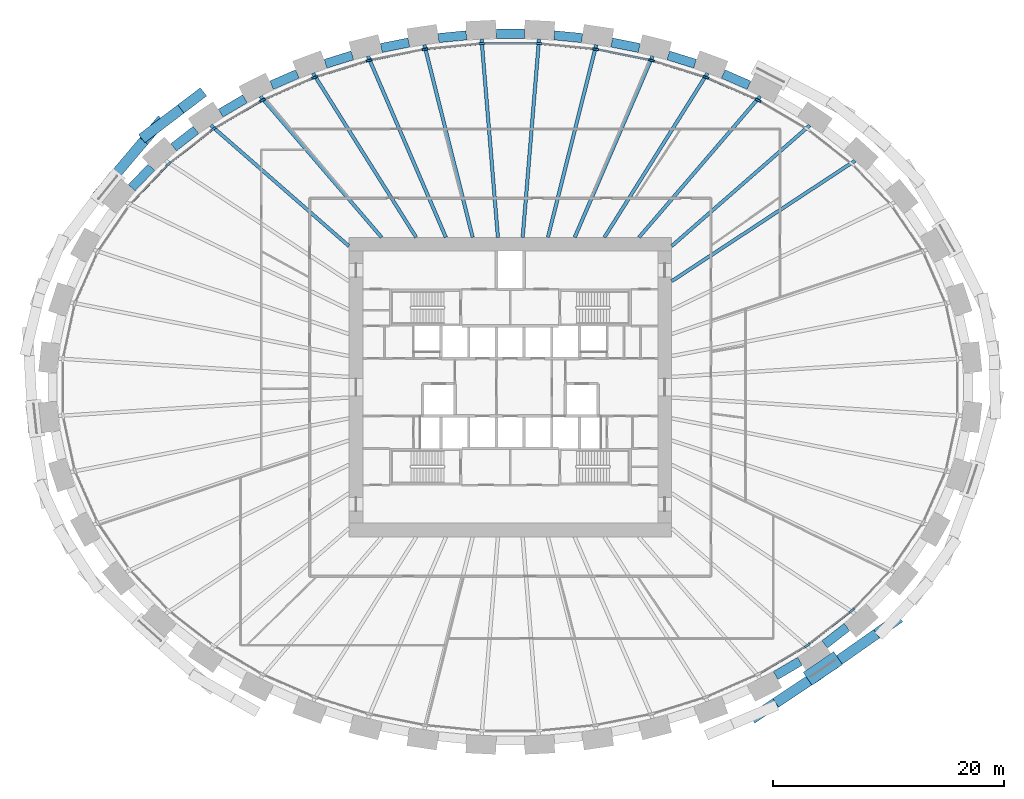
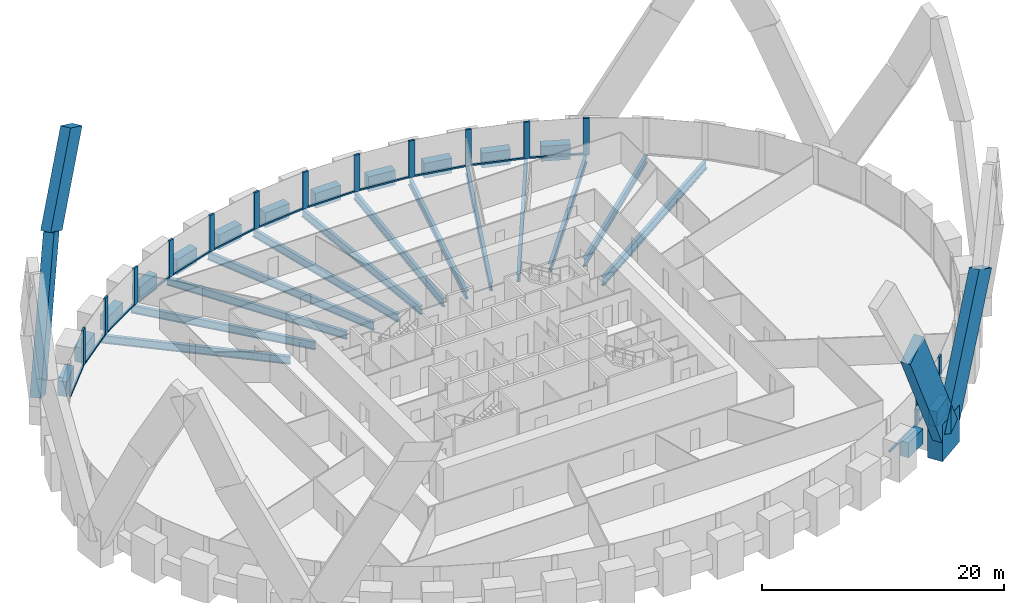
# One storey, part 3 of 12: 33 members, 27 beams, 1 element without a shape of its own.
"""IFC4 building model written with IfcOpenShell, lengths in metres."""

from ifc_helpers import new_model, si_unit, direction, frame, origin, origin_2d, place, context, subcontext, project, spatial, rectangle, i_section, extrude, source, transform, mapped, material, material_profile, profile_set, type_object, element, aggregate, save


model = new_model("IFC4")

# Units and contexts
model_context = context("Model", 3, precision=1e-05, world=origin(), true_north=direction((0.0, 1.0)))
body_context = subcontext(model_context, "Body", "Model", "MODEL_VIEW")
ifc_project = project(units=[si_unit("LENGTHUNIT", "METRE"), si_unit("AREAUNIT", "SQUARE_METRE"), si_unit("VOLUMEUNIT", "CUBIC_METRE"), si_unit("PLANEANGLEUNIT", "RADIAN"), si_unit("MASSUNIT", "GRAM", prefix="KILO")], contexts=[model_context])

# Site, building, storey
site_placement = place(None, origin())
site = spatial("IfcSite", under=ifc_project, at=site_placement, CompositionType="ELEMENT")
building_placement = place(site_placement, origin())
building = spatial("IfcBuilding", under=site, at=building_placement, Name="Embergate Tower", CompositionType="ELEMENT")
storey_placement = place(building_placement, frame((0.0, 0.0, 45.800048828125)))
storey = spatial("IfcBuildingStorey", under=building, at=storey_placement, Name="L07", CompositionType="ELEMENT", Elevation=45.800048828125)

# Beams
ifc_material_1 = material(Name="Concrete C70", Category="concrete")
ifc_material_profile_1 = material_profile(ifc_material_1, rectangle(XDim=0.800048828125, YDim=1.5, at=origin_2d()), Name="RC 800x1500")
ifc_profile_set_1 = profile_set([ifc_material_profile_1], Name="Concrete C70")
beam_type_1 = type_object("IfcBeamType", Name="Spandrel beam RC 800x1500 C70", PredefinedType="BEAM", material=ifc_profile_set_1)
shared_shape_1 = source(origin(), body_context, "Body", "SweptSolid", [
    extrude(rectangle(XDim=0.800048828125, YDim=1.5, at=origin_2d()), origin(), (0.0, 0.0, 1.0), 2.431396484375),
])
for number, where, z_axis, x_axis, name in (
    (1, (11.18505859375, 29.428955078125, 0.0), (-0.980484010726, 0.196598842089, 0.0), (-0.196598842089, -0.980484010726, 0.0), "SPN-L07-08"),
    (2, (-8.801025390625, 29.906982421875, 0.0), (-0.980484010726, -0.196598842089, 0.0), (0.196598842089, -0.980484010726, 0.0), "SPN-L07-12"),
):
    element("IfcBeam", number, at=place(storey_placement, frame(where, z_axis=z_axis, x_axis=x_axis)), inside=storey, type_object=beam_type_1, Name=name, PredefinedType="BEAM", context=body_context, shape_type="MappedRepresentation", body=[
        mapped(shared_shape_1, transform((0.0, 0.0, 0.0))),
    ])
shared_shape_2 = source(origin(), body_context, "Body", "SweptSolid", [
    extrude(rectangle(XDim=0.800048828125, YDim=1.5, at=origin_2d()), origin(), (0.0, 0.0, 1.0), 2.43408203125),
])
for number, where, z_axis, x_axis, name in (
    (3, (16.028076171875, 28.06201171875, 0.0), (-0.954756195808, 0.297389654436, 0.0), (-0.297389654436, -0.954756195808, 0.0), "SPN-L07-07"),
    (4, (-13.7041015625, 28.785888671875, 0.0), (-0.954756195808, -0.297389654436, 0.0), (0.297389654436, -0.954756195808, 0.0), "SPN-L07-13"),
):
    element("IfcBeam", number, at=place(storey_placement, frame(where, z_axis=z_axis, x_axis=x_axis)), inside=storey, type_object=beam_type_1, Name=name, PredefinedType="BEAM", context=body_context, shape_type="MappedRepresentation", body=[
        mapped(shared_shape_2, transform((0.0, 0.0, 0.0))),
    ])
shared_shape_3 = source(origin(), body_context, "Body", "SweptSolid", [
    extrude(rectangle(XDim=0.800048828125, YDim=1.5, at=origin_2d()), origin(), (0.0, 0.0, 1.0), 2.454345703125),
])
beam_1_placement = place(storey_placement, frame((-31.14404296875, 19.080078125, 0.0), z_axis=(-0.690146821467, -0.723669375349, 0.0), x_axis=(0.723669375349, -0.690146821467, 0.0)))
element("IfcBeam", 5, at=beam_1_placement, inside=storey, type_object=beam_type_1, Name="SPN-L07-17", PredefinedType="BEAM", context=body_context, shape_type="MappedRepresentation", body=[
    mapped(shared_shape_3, transform((0.0, 0.0, 0.0))),
])
shared_shape_4 = source(origin(), body_context, "Body", "SweptSolid", [
    extrude(rectangle(XDim=0.800048828125, YDim=1.5, at=origin_2d()), origin(), (0.0, 0.0, 1.0), 2.446533203125),
])
for number, where, z_axis, x_axis, name in (
    (6, (-27.27392578125, 22.31494140625, 0.0), (-0.788443262058, -0.615107488587, 0.0), (0.615107488587, -0.788443262058, 0.0), "SPN-L07-16"),
    (7, (27.27392578125, -22.31494140625, 0.0), (0.788443262058, 0.615107488587, 0.0), (-0.615107488587, 0.788443262058, 0.0), "SPN-L07-38"),
):
    element("IfcBeam", number, at=place(storey_placement, frame(where, z_axis=z_axis, x_axis=x_axis)), inside=storey, type_object=beam_type_1, Name=name, PredefinedType="BEAM", context=body_context, shape_type="MappedRepresentation", body=[
        mapped(shared_shape_4, transform((0.0, 0.0, 0.0))),
    ])
shared_shape_5 = source(origin(), body_context, "Body", "SweptSolid", [
    extrude(rectangle(XDim=0.800048828125, YDim=1.5, at=origin_2d()), origin(), (0.0, 0.0, 1.0), 2.440673828125),
])
for number, where, z_axis, x_axis, name in (
    (8, (-23.02001953125, 25.013916015625, 0.0), (-0.86208332714, -0.506766550857, 0.0), (0.506766550857, -0.86208332714, 0.0), "SPN-L07-15"),
    (9, (23.02001953125, -25.013916015625, 0.0), (0.86208332714, 0.506766550857, 0.0), (-0.506766550857, 0.86208332714, 0.0), "SPN-L07-37"),
):
    element("IfcBeam", number, at=place(storey_placement, frame(where, z_axis=z_axis, x_axis=x_axis)), inside=storey, type_object=beam_type_1, Name=name, PredefinedType="BEAM", context=body_context, shape_type="MappedRepresentation", body=[
        mapped(shared_shape_5, transform((0.0, 0.0, 0.0))),
    ])
shared_shape_6 = source(origin(), body_context, "Body", "SweptSolid", [
    extrude(rectangle(XDim=0.800048828125, YDim=1.5, at=origin_2d()), origin(), (0.0, 0.0, 1.0), 2.437255859375),
])
for number, where, z_axis, x_axis, name in (
    (10, (20.7041015625, 26.196044921875, 0.0), (-0.916297523331, 0.400498250604, 0.0), (-0.400498250604, -0.916297523331, 0.0), "SPN-L07-06"),
    (11, (-18.470947265625, 27.172119140625, 0.0), (-0.916297523331, -0.400498250604, 0.0), (0.400498250604, -0.916297523331, 0.0), "SPN-L07-14"),
):
    element("IfcBeam", number, at=place(storey_placement, frame(where, z_axis=z_axis, x_axis=x_axis)), inside=storey, type_object=beam_type_1, Name=name, PredefinedType="BEAM", context=body_context, shape_type="MappedRepresentation", body=[
        mapped(shared_shape_6, transform((0.0, 0.0, 0.0))),
    ])
shared_shape_7 = source(origin(), body_context, "Body", "SweptSolid", [
    extrude(rectangle(XDim=0.800048828125, YDim=1.5, at=origin_2d()), origin(), (0.0, 0.0, 1.0), 2.4296875),
])
for number, where, z_axis, x_axis, name in (
    (12, (6.22998046875, 30.2900390625, 0.0), (-0.995189223215, 0.097971475428, 0.0), (-0.097971475428, -0.995189223215, 0.0), "SPN-L07-09"),
    (13, (-3.81201171875, 30.528076171875, 0.0), (-0.995189223215, -0.097971475428, 0.0), (0.097971475428, -0.995189223215, 0.0), "SPN-L07-11"),
):
    element("IfcBeam", number, at=place(storey_placement, frame(where, z_axis=z_axis, x_axis=x_axis)), inside=storey, type_object=beam_type_1, Name=name, PredefinedType="BEAM", context=body_context, shape_type="MappedRepresentation", body=[
        mapped(shared_shape_7, transform((0.0, 0.0, 0.0))),
    ])
shared_shape_8 = source(origin(), body_context, "Body", "SweptSolid", [
    extrude(rectangle(XDim=0.800048828125, YDim=1.5, at=origin_2d()), origin(), (0.0, 0.0, 1.0), 2.43017578125),
])
beam_2_placement = place(storey_placement, frame((1.215087890625, 30.655029296875, 0.0), z_axis=(-1.0, 0.0, 0.0), x_axis=(0.0, -1.0, 0.0)))
element("IfcBeam", 14, at=beam_2_placement, inside=storey, type_object=beam_type_1, Name="SPN-L07-10", PredefinedType="BEAM", context=body_context, shape_type="MappedRepresentation", body=[
    mapped(shared_shape_8, transform((0.0, 0.0, 0.0))),
])
ifc_material_2 = material(Name="Steel Q355B", Category="steel")
ifc_material_profile_2 = material_profile(ifc_material_2, i_section(OverallWidth=0.300048828125, OverallDepth=0.89990234375, WebThickness=0.01611328125, FlangeThickness=0.028076171875, FilletRadius=0.028076171875, at=origin_2d()), Name="HN 900x300x16x28")
ifc_profile_set_2 = profile_set([ifc_material_profile_2], Name="Steel Q355 grade B")
beam_type_2 = type_object("IfcBeamType", Name="Radial girder HN 900x300x16x28", PredefinedType="BEAM", material=ifc_profile_set_2)
shared_shape_9 = source(origin(), body_context, "Body", "SweptSolid", [
    extrude(i_section(OverallWidth=0.300048828125, OverallDepth=0.89990234375, WebThickness=0.01611328125, FlangeThickness=0.028076171875, FilletRadius=0.028076171875, at=origin_2d()), origin(), (0.0, 0.0, 1.0), 19.03564453125),
])
beam_3_placement = place(storey_placement, frame((29.908935546875, 19.65087890625, -0.650146484375), z_axis=(-0.835743149678, -0.549120558499, 0.0), x_axis=(0.549120558499, -0.835743149678, 0.0)))
element("IfcBeam", 15, at=beam_3_placement, inside=storey, type_object=beam_type_2, Name="GIR-L07-04", PredefinedType="BEAM", context=body_context, shape_type="MappedRepresentation", body=[
    mapped(shared_shape_9, transform((0.0, 0.0, 0.0))),
])
ifc_material_profile_3 = material_profile(ifc_material_2, i_section(OverallWidth=0.300048828125, OverallDepth=0.800048828125, WebThickness=0.013916015625, FlangeThickness=0.02587890625, FilletRadius=0.028076171875, at=origin_2d()), Name="HN 800x300x14x26")
ifc_profile_set_3 = profile_set([ifc_material_profile_3], Name="Steel Q355 grade B")
beam_type_3 = type_object("IfcBeamType", Name="Radial girder HN 800x300x14x26", PredefinedType="BEAM", material=ifc_profile_set_3)
shared_shape_10 = source(origin(), body_context, "Body", "SweptSolid", [
    extrude(i_section(OverallWidth=0.300048828125, OverallDepth=0.800048828125, WebThickness=0.013916015625, FlangeThickness=0.02587890625, FilletRadius=0.028076171875, at=origin_2d()), origin(), (0.0, 0.0, 1.0), 15.91162109375),
])
for number, where, z_axis, x_axis, name in (
    (16, (25.97802734375, 22.718017578125, -0.60009765625), (-0.752783862885, -0.658267769057, 0.0), (0.658267769057, -0.752783862885, 0.0), "GIR-L07-05"),
    (17, (-25.97802734375, 22.718017578125, -0.60009765625), (0.752783862885, -0.658267769057, 0.0), (0.658267769057, 0.752783862885, 0.0), "GIR-L07-16"),
):
    element("IfcBeam", number, at=place(storey_placement, frame(where, z_axis=z_axis, x_axis=x_axis)), inside=storey, type_object=beam_type_3, Name=name, PredefinedType="BEAM", context=body_context, shape_type="MappedRepresentation", body=[
        mapped(shared_shape_10, transform((0.0, 0.0, 0.0))),
    ])
shared_shape_11 = source(origin(), body_context, "Body", "SweptSolid", [
    extrude(i_section(OverallWidth=0.300048828125, OverallDepth=0.800048828125, WebThickness=0.013916015625, FlangeThickness=0.02587890625, FilletRadius=0.028076171875, at=origin_2d()), origin(), (0.0, 0.0, 1.0), 16.1416015625),
])
for number, where, z_axis, x_axis, name in (
    (18, (21.679931640625, 25.24609375, -0.60009765625), (-0.651477424903, -0.758668020178, 0.0), (0.758668020178, -0.651477424903, 0.0), "GIR-L07-06"),
    (19, (-21.679931640625, 25.24609375, -0.60009765625), (0.651477424903, -0.758668020178, 0.0), (0.758668020178, 0.651477424903, 0.0), "GIR-L07-15"),
):
    element("IfcBeam", number, at=place(storey_placement, frame(where, z_axis=z_axis, x_axis=x_axis)), inside=storey, type_object=beam_type_3, Name=name, PredefinedType="BEAM", context=body_context, shape_type="MappedRepresentation", body=[
        mapped(shared_shape_11, transform((0.0, 0.0, 0.0))),
    ])
shared_shape_12 = source(origin(), body_context, "Body", "SweptSolid", [
    extrude(i_section(OverallWidth=0.300048828125, OverallDepth=0.800048828125, WebThickness=0.013916015625, FlangeThickness=0.02587890625, FilletRadius=0.028076171875, at=origin_2d()), origin(), (0.0, 0.0, 1.0), 16.81884765625),
])
for number, where, z_axis, x_axis, name in (
    (20, (17.110107421875, 27.242919921875, -0.60009765625), (-0.531846576707, -0.846840728145, 0.0), (0.846840728145, -0.531846576707, 0.0), "GIR-L07-07"),
    (21, (-17.110107421875, 27.242919921875, -0.60009765625), (0.531846576707, -0.846840728145, 0.0), (0.846840728145, 0.531846576707, 0.0), "GIR-L07-14"),
):
    element("IfcBeam", number, at=place(storey_placement, frame(where, z_axis=z_axis, x_axis=x_axis)), inside=storey, type_object=beam_type_3, Name=name, PredefinedType="BEAM", context=body_context, shape_type="MappedRepresentation", body=[
        mapped(shared_shape_12, transform((0.0, 0.0, 0.0))),
    ])
shared_shape_13 = source(origin(), body_context, "Body", "SweptSolid", [
    extrude(i_section(OverallWidth=0.300048828125, OverallDepth=0.800048828125, WebThickness=0.013916015625, FlangeThickness=0.02587890625, FilletRadius=0.028076171875, at=origin_2d()), origin(), (0.0, 0.0, 1.0), 17.118408203125),
])
for number, where, z_axis, x_axis, name in (
    (22, (12.347900390625, 28.72705078125, -0.60009765625), (-0.39489847585, -0.918724764971, 0.0), (0.918724764971, -0.39489847585, 0.0), "GIR-L07-08"),
    (23, (-12.347900390625, 28.72705078125, -0.60009765625), (0.39489847585, -0.918724764971, 0.0), (0.918724764971, 0.39489847585, 0.0), "GIR-L07-13"),
):
    element("IfcBeam", number, at=place(storey_placement, frame(where, z_axis=z_axis, x_axis=x_axis)), inside=storey, type_object=beam_type_3, Name=name, PredefinedType="BEAM", context=body_context, shape_type="MappedRepresentation", body=[
        mapped(shared_shape_13, transform((0.0, 0.0, 0.0))),
    ])
shared_shape_14 = source(origin(), body_context, "Body", "SweptSolid", [
    extrude(i_section(OverallWidth=0.300048828125, OverallDepth=0.800048828125, WebThickness=0.013916015625, FlangeThickness=0.02587890625, FilletRadius=0.028076171875, at=origin_2d()), origin(), (0.0, 0.0, 1.0), 17.225341796875),
])
for number, where, z_axis, x_axis, name in (
    (24, (7.45703125, 29.70703125, -0.60009765625), (-0.243482617431, -0.969905260842, 0.0), (0.969905260842, -0.243482617431, 0.0), "GIR-L07-09"),
    (25, (-7.45703125, 29.70703125, -0.60009765625), (0.243482617431, -0.969905260842, 0.0), (0.969905260842, 0.243482617431, 0.0), "GIR-L07-12"),
):
    element("IfcBeam", number, at=place(storey_placement, frame(where, z_axis=z_axis, x_axis=x_axis)), inside=storey, type_object=beam_type_3, Name=name, PredefinedType="BEAM", context=body_context, shape_type="MappedRepresentation", body=[
        mapped(shared_shape_14, transform((0.0, 0.0, 0.0))),
    ])
shared_shape_15 = source(origin(), body_context, "Body", "SweptSolid", [
    extrude(i_section(OverallWidth=0.300048828125, OverallDepth=0.800048828125, WebThickness=0.013916015625, FlangeThickness=0.02587890625, FilletRadius=0.028076171875, at=origin_2d()), origin(), (0.0, 0.0, 1.0), 17.253662109375),
])
for number, where, z_axis, x_axis, name in (
    (26, (2.493896484375, 30.195068359375, -0.60009765625), (-0.08229715851, -0.99660783546, 0.0), (0.99660783546, -0.08229715851, 0.0), "GIR-L07-10"),
    (27, (-2.493896484375, 30.195068359375, -0.60009765625), (0.08229715851, -0.99660783546, 0.0), (0.99660783546, 0.08229715851, 0.0), "GIR-L07-11"),
):
    element("IfcBeam", number, at=place(storey_placement, frame(where, z_axis=z_axis, x_axis=x_axis)), inside=storey, type_object=beam_type_3, Name=name, PredefinedType="BEAM", context=body_context, shape_type="MappedRepresentation", body=[
        mapped(shared_shape_15, transform((0.0, 0.0, 0.0))),
    ])

# Members
ifc_material_profile_4 = material_profile(ifc_material_1, rectangle(XDim=1.35009765625, YDim=3.199951171875, at=origin_2d()), Name="RC 1350x3200")
ifc_profile_set_4 = profile_set([ifc_material_profile_4], Name="Concrete C70")
member_type_1 = type_object("IfcMemberType", Name="Lattice node block RC 1350x3200", PredefinedType="POST", material=ifc_profile_set_4)
shared_shape_16 = source(origin(), body_context, "Body", "SweptSolid", [
    extrude(rectangle(XDim=1.35009765625, YDim=3.199951171875, at=origin_2d()), origin(), (0.0, 0.0, 1.0), 3.699951171875),
])
member_1_placement = place(storey_placement, frame((27.113037109375, -24.39501953125, -1.85009765625), z_axis=(0.0, 0.0, 1.0), x_axis=(0.560393279442, -0.828226643109, 0.0)))
element("IfcMember", 28, at=member_1_placement, inside=storey, type_object=member_type_1, Name="NOD-L07-38", PredefinedType="POST", context=body_context, shape_type="MappedRepresentation", body=[
    mapped(shared_shape_16, transform((0.0, 0.0, 0.0))),
])
ifc_material_profile_5 = material_profile(ifc_material_1, rectangle(XDim=0.89990234375, YDim=2.800048828125, at=origin_2d()), Name="RC 900x2800")
ifc_profile_set_5 = profile_set([ifc_material_profile_5], Name="Concrete C70")
member_type_2 = type_object("IfcMemberType", Name="Lattice diagonal terracotta-faced RC 900x2800", PredefinedType="BRACE", material=ifc_profile_set_5)
shared_shape_17 = source(origin(), body_context, "Body", "SweptSolid", [
    extrude(rectangle(XDim=0.89990234375, YDim=2.800048828125, at=origin_2d()), origin(), (0.0, 0.0, 1.0), 13.841552734375),
])
member_2_placement = place(storey_placement, frame((-35.093994140625, 17.4619140625, 0.0), z_axis=(0.29642691682, 0.349958732395, 0.88862813854), x_axis=(-0.763055044134, 0.64633350495, 0.0)))
element("IfcMember", 29, at=member_2_placement, inside=storey, type_object=member_type_2, Name="BRC-L07-18-16-S00", PredefinedType="BRACE", context=body_context, shape_type="MappedRepresentation", body=[
    mapped(shared_shape_17, transform((0.0, 0.0, 0.0))),
])
shared_shape_18 = source(origin(), body_context, "Body", "SweptSolid", [
    extrude(rectangle(XDim=0.89990234375, YDim=2.800048828125, at=origin_2d()), origin(), (0.0, 0.0, 1.0), 8.88671875),
])
member_3_placement = place(storey_placement, frame((-30.990966796875, 22.305908203125, 12.300048828125), z_axis=(0.381927900488, 0.289426732243, 0.877703392663), x_axis=(-0.60397357958, 0.797004338237, 0.0)))
element("IfcMember", 30, at=member_3_placement, inside=storey, type_object=member_type_2, Name="BRC-L07-18-16-S01", PredefinedType="BRACE", context=body_context, shape_type="MappedRepresentation", body=[
    mapped(shared_shape_18, transform((0.0, 0.0, 0.0))),
])
shared_shape_19 = source(origin(), body_context, "Body", "SweptSolid", [
    extrude(rectangle(XDim=0.89990234375, YDim=2.800048828125, at=origin_2d()), origin(), (0.0, 0.0, 1.0), 13.82080078125),
])
member_4_placement = place(storey_placement, frame((27.239013671875, -24.58203125, 0.0), z_axis=(-0.37950687542, -0.252869154796, 0.889961640781), x_axis=(0.554494584695, -0.832187332001, 0.0)))
element("IfcMember", 31, at=member_4_placement, inside=storey, type_object=member_type_2, Name="BRC-L07-38-36-S00", PredefinedType="BRACE", context=body_context, shape_type="MappedRepresentation", body=[
    mapped(shared_shape_19, transform((0.0, 0.0, 0.0))),
])
shared_shape_20 = source(origin(), body_context, "Body", "SweptSolid", [
    extrude(rectangle(XDim=0.89990234375, YDim=2.800048828125, at=origin_2d()), origin(), (0.0, 0.0, 1.0), 14.04052734375),
])
member_5_placement = place(storey_placement, frame((27.239013671875, -24.58203125, 0.0), z_axis=(0.39450572657, 0.277343368248, 0.876039889384), x_axis=(-0.575116428853, 0.818071569769, 0.0)))
element("IfcMember", 32, at=member_5_placement, inside=storey, type_object=member_type_2, Name="BRC-L07-38-40-S00", PredefinedType="BRACE", context=body_context, shape_type="MappedRepresentation", body=[
    mapped(shared_shape_20, transform((0.0, 0.0, 0.0))),
])

# Curtain wall, members
ifc_material_3 = material(Name="Aluminium and glass", Category="aluminium")
curtain_wall_type = type_object("IfcCurtainWallType", Name="Recessed office glazing", PredefinedType="NOTDEFINED", material=ifc_material_3)
curtain_wall_placement = place(storey_placement, origin())
curtain_wall = element("IfcCurtainWall", 33, at=curtain_wall_placement, inside=storey, type_object=curtain_wall_type, Name="Recessed office glazing ring", ObjectType="RECESSED OFFICE GLAZING", PredefinedType="USERDEFINED")
ifc_material_4 = material(Name="Aluminium, thermally broken", Category="aluminium")
ifc_material_profile_6 = material_profile(ifc_material_4, rectangle(XDim=0.179931640625, YDim=0.52001953125, at=origin_2d()), Name="AL 520x180")
ifc_profile_set_6 = profile_set([ifc_material_profile_6], Name="Aluminium, thermally broken")
member_type_3 = type_object("IfcMemberType", Name="Office mullion", PredefinedType="MULLION", material=ifc_profile_set_6)
shared_shape_21 = source(origin(), body_context, "Body", "SweptSolid", [
    extrude(rectangle(XDim=0.179931640625, YDim=0.52001953125, at=origin_2d()), origin(), (0.0, 0.0, 1.0), 3.699951171875),
])
member_6_placement = place(storey_placement, frame((21.502685546875, 24.897705078125, 0.0), z_axis=(0.0, 0.0, 1.0), x_axis=(-0.454511380526, -0.890740930334, 0.0)))
member_6 = element("IfcMember", 34, at=member_6_placement, type_object=member_type_3, Name="CW mullion 7", PredefinedType="MULLION", context=body_context, shape_type="MappedRepresentation", body=[
    mapped(shared_shape_21, transform((0.0, 0.0, 0.0))),
])
member_7_placement = place(storey_placement, frame((16.97412109375, 26.877685546875, 0.0), z_axis=(0.0, 0.0, 1.0), x_axis=(-0.349502682851, -0.936935363128, 0.0)))
member_7 = element("IfcMember", 35, at=member_7_placement, type_object=member_type_3, Name="CW mullion 8", PredefinedType="MULLION", context=body_context, shape_type="MappedRepresentation", body=[
    mapped(shared_shape_21, transform((0.0, 0.0, 0.0))),
])
member_8_placement = place(storey_placement, frame((12.251953125, 28.348388671875, 0.0), z_axis=(0.0, 0.0, 1.0), x_axis=(-0.24731188137, -0.968935928394, 0.0)))
member_8 = element("IfcMember", 36, at=member_8_placement, type_object=member_type_3, Name="CW mullion 9", PredefinedType="MULLION", context=body_context, shape_type="MappedRepresentation", body=[
    mapped(shared_shape_21, transform((0.0, 0.0, 0.0))),
])
member_9_placement = place(storey_placement, frame((7.400390625, 29.3212890625, 0.0), z_axis=(0.0, 0.0, 1.0), x_axis=(-0.147412382818, -0.989075118174, 0.0)))
member_9 = element("IfcMember", 37, at=member_9_placement, type_object=member_type_3, Name="CW mullion 10", PredefinedType="MULLION", context=body_context, shape_type="MappedRepresentation", body=[
    mapped(shared_shape_21, transform((0.0, 0.0, 0.0))),
])
member_10_placement = place(storey_placement, frame((2.474853515625, 29.8056640625, 0.0), z_axis=(0.0, 0.0, 1.0), x_axis=(-0.048971796621, -0.998800161762, 0.0)))
member_10 = element("IfcMember", 38, at=member_10_placement, type_object=member_type_3, Name="CW mullion 11", PredefinedType="MULLION", context=body_context, shape_type="MappedRepresentation", body=[
    mapped(shared_shape_21, transform((0.0, 0.0, 0.0))),
])
member_11_placement = place(storey_placement, frame((-2.474853515625, 29.8056640625, 0.0), z_axis=(0.0, 0.0, 1.0), x_axis=(0.048971796621, -0.998800161762, 0.0)))
member_11 = element("IfcMember", 39, at=member_11_placement, type_object=member_type_3, Name="CW mullion 12", PredefinedType="MULLION", context=body_context, shape_type="MappedRepresentation", body=[
    mapped(shared_shape_21, transform((0.0, 0.0, 0.0))),
])
member_12_placement = place(storey_placement, frame((-7.400390625, 29.3212890625, 0.0), z_axis=(0.0, 0.0, 1.0), x_axis=(0.147412382818, -0.989075118174, 0.0)))
member_12 = element("IfcMember", 40, at=member_12_placement, type_object=member_type_3, Name="CW mullion 13", PredefinedType="MULLION", context=body_context, shape_type="MappedRepresentation", body=[
    mapped(shared_shape_21, transform((0.0, 0.0, 0.0))),
])
member_13_placement = place(storey_placement, frame((-12.251953125, 28.348388671875, 0.0), z_axis=(0.0, 0.0, 1.0), x_axis=(0.24731188137, -0.968935928394, 0.0)))
member_13 = element("IfcMember", 41, at=member_13_placement, type_object=member_type_3, Name="CW mullion 14", PredefinedType="MULLION", context=body_context, shape_type="MappedRepresentation", body=[
    mapped(shared_shape_21, transform((0.0, 0.0, 0.0))),
])
member_14_placement = place(storey_placement, frame((-16.97412109375, 26.877685546875, 0.0), z_axis=(0.0, 0.0, 1.0), x_axis=(0.349502682851, -0.936935363128, 0.0)))
member_14 = element("IfcMember", 42, at=member_14_placement, type_object=member_type_3, Name="CW mullion 15", PredefinedType="MULLION", context=body_context, shape_type="MappedRepresentation", body=[
    mapped(shared_shape_21, transform((0.0, 0.0, 0.0))),
])
member_15_placement = place(storey_placement, frame((-21.502685546875, 24.897705078125, 0.0), z_axis=(0.0, 0.0, 1.0), x_axis=(0.454511380526, -0.890740930334, 0.0)))
member_15 = element("IfcMember", 43, at=member_15_placement, type_object=member_type_3, Name="CW mullion 16", PredefinedType="MULLION", context=body_context, shape_type="MappedRepresentation", body=[
    mapped(shared_shape_21, transform((0.0, 0.0, 0.0))),
])
member_16_placement = place(storey_placement, frame((-25.759521484375, 22.39501953125, 0.0), z_axis=(0.0, 0.0, 1.0), x_axis=(0.562217618544, -0.826989328467, 0.0)))
member_16 = element("IfcMember", 44, at=member_16_placement, type_object=member_type_3, Name="CW mullion 17", PredefinedType="MULLION", context=body_context, shape_type="MappedRepresentation", body=[
    mapped(shared_shape_21, transform((0.0, 0.0, 0.0))),
])
member_17_placement = place(storey_placement, frame((-29.647216796875, 19.360595703125, 0.0), z_axis=(0.0, 0.0, 1.0), x_axis=(0.671229121411, -0.741249935292, 0.0)))
member_17 = element("IfcMember", 45, at=member_17_placement, type_object=member_type_3, Name="CW mullion 18", PredefinedType="MULLION", context=body_context, shape_type="MappedRepresentation", body=[
    mapped(shared_shape_21, transform((0.0, 0.0, 0.0))),
])
member_18_placement = place(storey_placement, frame((25.759521484375, -22.39501953125, 0.0), z_axis=(0.0, 0.0, 1.0), x_axis=(-0.562217618544, 0.826989328467, 0.0)))
member_18 = element("IfcMember", 46, at=member_18_placement, type_object=member_type_3, Name="CW mullion 39", PredefinedType="MULLION", context=body_context, shape_type="MappedRepresentation", body=[
    mapped(shared_shape_21, transform((0.0, 0.0, 0.0))),
])
member_19_placement = place(storey_placement, frame((29.647216796875, -19.360595703125, 0.0), z_axis=(0.0, 0.0, 1.0), x_axis=(-0.671229121411, 0.741249935292, 0.0)))
member_19 = element("IfcMember", 47, at=member_19_placement, type_object=member_type_3, Name="CW mullion 40", PredefinedType="MULLION", context=body_context, shape_type="MappedRepresentation", body=[
    mapped(shared_shape_21, transform((0.0, 0.0, 0.0))),
])
ifc_material_profile_7 = material_profile(ifc_material_4, rectangle(XDim=0.179931640625, YDim=0.14990234375, at=origin_2d()), Name="AL 150x180")
ifc_profile_set_7 = profile_set([ifc_material_profile_7], Name="Aluminium, thermally broken")
member_type_4 = type_object("IfcMemberType", Name="Office sill transom", PredefinedType="USERDEFINED", material=ifc_profile_set_7)
shared_shape_22 = source(origin(), body_context, "Body", "SweptSolid", [
    extrude(rectangle(XDim=0.179931640625, YDim=0.14990234375, at=origin_2d()), origin(), (0.0, 0.0, 1.0), 4.404296875),
])
member_20_placement = place(storey_placement, frame((-29.826904296875, 19.17236328125, 0.074951171875), z_axis=(-0.690139479121, -0.723676377504, 0.0), x_axis=(0.723676377504, -0.690139479121, 0.0)))
member_20 = element("IfcMember", 48, at=member_20_placement, type_object=member_type_4, Name="CW transom 18.1", ObjectType="TRANSOM", PredefinedType="USERDEFINED", context=body_context, shape_type="MappedRepresentation", body=[
    mapped(shared_shape_22, transform((0.0, 0.0, 0.0))),
])
shared_shape_23 = source(origin(), body_context, "Body", "SweptSolid", [
    extrude(rectangle(XDim=0.179931640625, YDim=0.14990234375, at=origin_2d()), origin(), (0.0, 0.0, 1.0), 4.412109375),
])
member_21_placement = place(storey_placement, frame((-25.96435546875, 22.235107421875, 0.074951171875), z_axis=(-0.788311201142, -0.615276726485, 0.0), x_axis=(0.615276726485, -0.788311201142, 0.0)))
member_21 = element("IfcMember", 49, at=member_21_placement, type_object=member_type_4, Name="CW transom 17.1", ObjectType="TRANSOM", PredefinedType="USERDEFINED", context=body_context, shape_type="MappedRepresentation", body=[
    mapped(shared_shape_23, transform((0.0, 0.0, 0.0))),
])
member_22_placement = place(storey_placement, frame((25.96435546875, -22.235107421875, 0.074951171875), z_axis=(0.788311201142, 0.615276726485, 0.0), x_axis=(-0.615276726485, 0.788311201142, 0.0)))
member_22 = element("IfcMember", 50, at=member_22_placement, type_object=member_type_4, Name="CW transom 39.1", ObjectType="TRANSOM", PredefinedType="USERDEFINED", context=body_context, shape_type="MappedRepresentation", body=[
    mapped(shared_shape_23, transform((0.0, 0.0, 0.0))),
])
shared_shape_24 = source(origin(), body_context, "Body", "SweptSolid", [
    extrude(rectangle(XDim=0.179931640625, YDim=0.14990234375, at=origin_2d()), origin(), (0.0, 0.0, 1.0), 4.417724609375),
])
member_23_placement = place(storey_placement, frame((-21.726806640625, 24.765869140625, 0.074951171875), z_axis=(-0.862052105816, -0.506819659109, 0.0), x_axis=(0.506819659109, -0.862052105816, 0.0)))
member_23 = element("IfcMember", 51, at=member_23_placement, type_object=member_type_4, Name="CW transom 16.1", ObjectType="TRANSOM", PredefinedType="USERDEFINED", context=body_context, shape_type="MappedRepresentation", body=[
    mapped(shared_shape_24, transform((0.0, 0.0, 0.0))),
])
member_24_placement = place(storey_placement, frame((21.726806640625, -24.765869140625, 0.074951171875), z_axis=(0.862052105816, 0.506819659109, 0.0), x_axis=(-0.506819659109, 0.862052105816, 0.0)))
member_24 = element("IfcMember", 52, at=member_24_placement, type_object=member_type_4, Name="CW transom 38.1", ObjectType="TRANSOM", PredefinedType="USERDEFINED", context=body_context, shape_type="MappedRepresentation", body=[
    mapped(shared_shape_24, transform((0.0, 0.0, 0.0))),
])
shared_shape_25 = source(origin(), body_context, "Body", "SweptSolid", [
    extrude(rectangle(XDim=0.179931640625, YDim=0.14990234375, at=origin_2d()), origin(), (0.0, 0.0, 1.0), 4.422607421875),
])
member_25_placement = place(storey_placement, frame((21.264404296875, 25.001708984375, 0.074951171875), z_axis=(-0.916221938908, 0.400671135301, 0.0), x_axis=(-0.400671135301, -0.916221938908, 0.0)))
member_25 = element("IfcMember", 53, at=member_25_placement, type_object=member_type_4, Name="CW transom 7.1", ObjectType="TRANSOM", PredefinedType="USERDEFINED", context=body_context, shape_type="MappedRepresentation", body=[
    mapped(shared_shape_25, transform((0.0, 0.0, 0.0))),
])
member_26_placement = place(storey_placement, frame((-17.21240234375, 26.773681640625, 0.074951171875), z_axis=(-0.916221938908, -0.400671135301, 0.0), x_axis=(0.400671135301, -0.916221938908, 0.0)))
member_26 = element("IfcMember", 54, at=member_26_placement, type_object=member_type_4, Name="CW transom 15.1", ObjectType="TRANSOM", PredefinedType="USERDEFINED", context=body_context, shape_type="MappedRepresentation", body=[
    mapped(shared_shape_25, transform((0.0, 0.0, 0.0))),
])
shared_shape_26 = source(origin(), body_context, "Body", "SweptSolid", [
    extrude(rectangle(XDim=0.179931640625, YDim=0.14990234375, at=origin_2d()), origin(), (0.0, 0.0, 1.0), 4.42578125),
])
member_27_placement = place(storey_placement, frame((16.725830078125, 26.955078125, 0.074951171875), z_axis=(-0.954773981252, 0.297332549049, 0.0), x_axis=(-0.297332549049, -0.954773981252, 0.0)))
member_27 = element("IfcMember", 55, at=member_27_placement, type_object=member_type_4, Name="CW transom 8.1", ObjectType="TRANSOM", PredefinedType="USERDEFINED", context=body_context, shape_type="MappedRepresentation", body=[
    mapped(shared_shape_26, transform((0.0, 0.0, 0.0))),
])
member_28_placement = place(storey_placement, frame((-12.500244140625, 28.27099609375, 0.074951171875), z_axis=(-0.954773981252, -0.297332549049, 0.0), x_axis=(0.297332549049, -0.954773981252, 0.0)))
member_28 = element("IfcMember", 56, at=member_28_placement, type_object=member_type_4, Name="CW transom 14.1", ObjectType="TRANSOM", PredefinedType="USERDEFINED", context=body_context, shape_type="MappedRepresentation", body=[
    mapped(shared_shape_26, transform((0.0, 0.0, 0.0))),
])
shared_shape_27 = source(origin(), body_context, "Body", "SweptSolid", [
    extrude(rectangle(XDim=0.179931640625, YDim=0.14990234375, at=origin_2d()), origin(), (0.0, 0.0, 1.0), 4.427978515625),
])
member_29_placement = place(storey_placement, frame((11.9970703125, 28.3994140625, 0.074951171875), z_axis=(-0.980470250175, 0.196667456693, 0.0), x_axis=(-0.196667456693, -0.980470250175, 0.0)))
member_29 = element("IfcMember", 57, at=member_29_placement, type_object=member_type_4, Name="CW transom 9.1", ObjectType="TRANSOM", PredefinedType="USERDEFINED", context=body_context, shape_type="MappedRepresentation", body=[
    mapped(shared_shape_27, transform((0.0, 0.0, 0.0))),
])
member_30_placement = place(storey_placement, frame((-7.655517578125, 29.270263671875, 0.074951171875), z_axis=(-0.980470250175, -0.196667456693, 0.0), x_axis=(0.196667456693, -0.980470250175, 0.0)))
member_30 = element("IfcMember", 58, at=member_30_placement, type_object=member_type_4, Name="CW transom 13.1", ObjectType="TRANSOM", PredefinedType="USERDEFINED", context=body_context, shape_type="MappedRepresentation", body=[
    mapped(shared_shape_27, transform((0.0, 0.0, 0.0))),
])
shared_shape_28 = source(origin(), body_context, "Body", "SweptSolid", [
    extrude(rectangle(XDim=0.179931640625, YDim=0.14990234375, at=origin_2d()), origin(), (0.0, 0.0, 1.0), 4.42919921875),
])
member_31_placement = place(storey_placement, frame((7.1416015625, 29.3466796875, 0.074951171875), z_axis=(-0.995196882691, 0.097893639638, 0.0), x_axis=(-0.097893639638, -0.995196882691, 0.0)))
member_31 = element("IfcMember", 59, at=member_31_placement, type_object=member_type_4, Name="CW transom 10.1", ObjectType="TRANSOM", PredefinedType="USERDEFINED", context=body_context, shape_type="MappedRepresentation", body=[
    mapped(shared_shape_28, transform((0.0, 0.0, 0.0))),
])
member_32_placement = place(storey_placement, frame((-2.733642578125, 29.7802734375, 0.074951171875), z_axis=(-0.995196882691, -0.097893639638, 0.0), x_axis=(0.097893639638, -0.995196882691, 0.0)))
member_32 = element("IfcMember", 60, at=member_32_placement, type_object=member_type_4, Name="CW transom 12.1", ObjectType="TRANSOM", PredefinedType="USERDEFINED", context=body_context, shape_type="MappedRepresentation", body=[
    mapped(shared_shape_28, transform((0.0, 0.0, 0.0))),
])
shared_shape_29 = source(origin(), body_context, "Body", "SweptSolid", [
    extrude(rectangle(XDim=0.179931640625, YDim=0.14990234375, at=origin_2d()), origin(), (0.0, 0.0, 1.0), 4.4296875),
])
member_33_placement = place(storey_placement, frame((2.21484375, 29.8056640625, 0.074951171875), z_axis=(-1.0, 0.0, 0.0), x_axis=(0.0, -1.0, 0.0)))
member_33 = element("IfcMember", 61, at=member_33_placement, type_object=member_type_4, Name="CW transom 11.1", ObjectType="TRANSOM", PredefinedType="USERDEFINED", context=body_context, shape_type="MappedRepresentation", body=[
    mapped(shared_shape_29, transform((0.0, 0.0, 0.0))),
])
aggregate(curtain_wall, [member_6, member_7, member_8, member_9, member_10, member_11, member_12, member_13, member_14, member_15, member_16, member_17, member_18, member_19, member_25, member_27, member_29, member_31, member_33, member_32, member_30, member_28, member_26, member_23, member_21, member_20, member_24, member_22])

save(model, "model.ifc")
